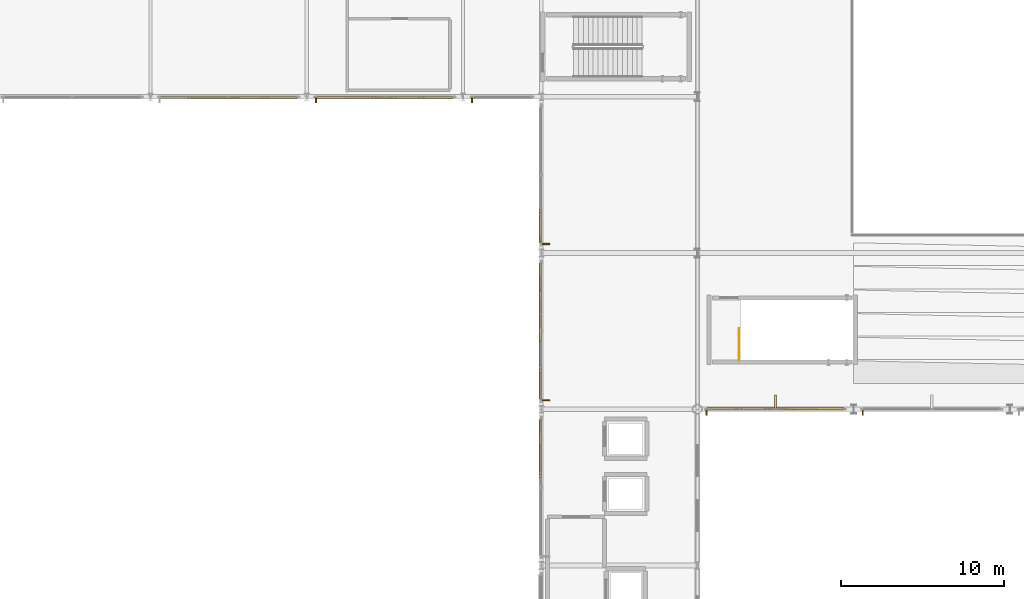
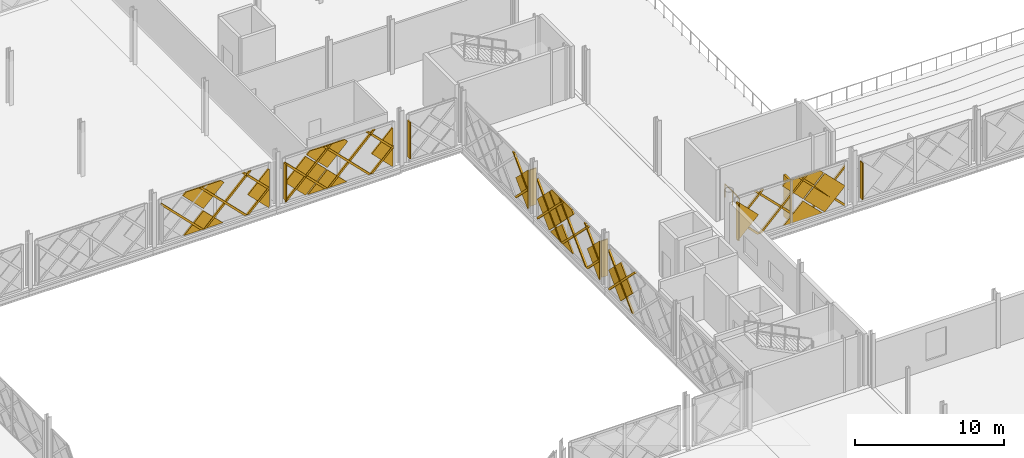
# One storey, part 91 of 101: 45 coverings, 6 shading devices, 1 railing.
"""IFC4 building model written with IfcOpenShell, lengths in metres."""

import ifcopenshell
import ifcopenshell.guid

model = None  # the IFC model being written
_history = None  # IfcOwnerHistory: only IFC2X3 demands one
_inside = {}  # id of a spatial element -> (the spatial element, [elements in it])
_under = {}  # id of a project, library or spatial element -> (it, [spatial elements below it])
_declared = {}  # id of a project -> (the project, [libraries it declares])
_typed = {}  # id of a type object -> (the type object, [elements of that type])
_made_of = {}  # id of a material, layer set ... -> (it, [elements and type objects made of it])


def new_model(schema):
    """Start an empty IFC model of exactly this schema.

    Asked for "IFC4X3", IfcOpenShell would pick the latest addendum, in which some entities
    have other attributes; the version numbers below select the first issue.
    IFC2X3 requires an IfcOwnerHistory on every rooted entity: one is made here for all.
    """
    global model, _history
    if schema == "IFC4X3":
        model = ifcopenshell.file(schema_version=(4, 3, 0, 0))
    else:
        model = ifcopenshell.file(schema=schema)
    _inside.clear()
    _under.clear()
    _declared.clear()
    _typed.clear()
    _made_of.clear()
    _history = None
    if model.schema == "IFC2X3":
        org = make("IfcOrganization", Name="unknown")
        user = make(
            "IfcPersonAndOrganization",
            ThePerson=make("IfcPerson", FamilyName="unknown"),
            TheOrganization=org,
        )
        app = make(
            "IfcApplication",
            ApplicationDeveloper=org,
            Version="unknown",
            ApplicationFullName="unknown",
            ApplicationIdentifier="unknown",
        )
        _history = make(
            "IfcOwnerHistory",
            OwningUser=user,
            OwningApplication=app,
            ChangeAction="ADDED",
            CreationDate=0,
        )
    return model


def make(cls, **values):
    """One entity of the class cls with the attributes given. An attribute that is None is left unset."""
    return model.create_entity(
        cls, **{name: value for name, value in values.items() if value is not None}
    )


def rooted(cls, **values):
    """An entity with a GlobalId (a new one), such as an element, a storey or a relation."""
    return make(cls, GlobalId=ifcopenshell.guid.new(), OwnerHistory=_history, **values)


def si_unit(unit_type, name, prefix=None):
    """IfcSIUnit, for example si_unit("LENGTHUNIT", "METRE", prefix="MILLI")."""
    return make("IfcSIUnit", UnitType=unit_type, Prefix=prefix, Name=name)


def assignment(units):
    """IfcUnitAssignment: the units of a project."""
    return None if units is None else make("IfcUnitAssignment", Units=units)


def point(xyz):
    """IfcCartesianPoint."""
    return None if xyz is None else make("IfcCartesianPoint", Coordinates=xyz)


def direction(xyz):
    """IfcDirection."""
    return None if xyz is None else make("IfcDirection", DirectionRatios=xyz)


def frame(location, z_axis=None, x_axis=None):
    """IfcAxis2Placement3D, a coordinate frame: its origin and axes. An axis left out is left unset."""
    return make(
        "IfcAxis2Placement3D",
        Location=point(location),
        Axis=direction(z_axis),
        RefDirection=direction(x_axis),
    )


def frame_2d(location, x_axis=None):
    """IfcAxis2Placement2D, a coordinate frame in the plane: its origin and x axis."""
    return make(
        "IfcAxis2Placement2D", Location=point(location), RefDirection=direction(x_axis)
    )


def origin():
    """The frame at (0, 0, 0) with its axes left unset."""
    return frame((0.0, 0.0, 0.0))


def origin_2d():
    """The frame at (0, 0) in the plane with its x axis left unset."""
    return frame_2d((0.0, 0.0))


def place(relative_to, where):
    """IfcLocalPlacement: puts the frame where relative to a parent placement (None: the world)."""
    return make(
        "IfcLocalPlacement", PlacementRelTo=relative_to, RelativePlacement=where
    )


def context(
    kind, dimensions, precision=None, world=None, true_north=None, identifier=None
):
    """IfcGeometricRepresentationContext, for example the 3D "Model" context."""
    return make(
        "IfcGeometricRepresentationContext",
        ContextIdentifier=identifier,
        ContextType=kind,
        CoordinateSpaceDimension=dimensions,
        Precision=precision,
        WorldCoordinateSystem=world,
        TrueNorth=true_north,
    )


def subcontext(parent, identifier, kind, view, scale=None):
    """IfcGeometricRepresentationSubContext, for example "Body" below "Model"."""
    return make(
        "IfcGeometricRepresentationSubContext",
        ContextIdentifier=identifier,
        ContextType=kind,
        ParentContext=parent,
        TargetScale=scale,
        TargetView=view,
    )


def project(units=None, contexts=None):
    """IfcProject with its units and contexts."""
    return rooted(
        "IfcProject",
        Name="project",
        RepresentationContexts=contexts,
        UnitsInContext=assignment(units),
    )


def spatial(cls, under=None, at=None, **own):
    """A site, building, storey or space (cls), placed at a placement, below another one or the project."""
    s = rooted(cls, ObjectPlacement=at, **own)
    if under is not None:
        _under.setdefault(under.id(), (under, []))[1].append(s)
    return s


def polyline(points):
    """IfcPolyline through the points."""
    return make("IfcPolyline", Points=[point(p) for p in points])


def profile(cls, at=None, kind="AREA", **sizes):
    """A parametric profile (cls). Its sizes go by their IFC names, for example OverallWidth=200.0."""
    return make(cls, ProfileType=kind, Position=at, **sizes)


def rectangle(**sizes):
    """IfcRectangleProfileDef."""
    return profile("IfcRectangleProfileDef", **sizes)


def circle(**sizes):
    """IfcCircleProfileDef."""
    return profile("IfcCircleProfileDef", **sizes)


def outline(outer, holes=None, kind="AREA"):
    """IfcArbitraryClosedProfileDef: a profile drawn as a closed curve; with holes, ...WithVoids."""
    if holes is None:
        return make("IfcArbitraryClosedProfileDef", ProfileType=kind, OuterCurve=outer)
    return make(
        "IfcArbitraryProfileDefWithVoids",
        ProfileType=kind,
        OuterCurve=outer,
        InnerCurves=holes,
    )


def extrude(swept, where, along, depth):
    """IfcExtrudedAreaSolid: the profile swept, set in the frame where, extruded along a direction by depth."""
    return make(
        "IfcExtrudedAreaSolid",
        SweptArea=swept,
        Position=where,
        ExtrudedDirection=direction(along),
        Depth=depth,
    )


def shape(context_of_items, identifier, shape_type, items):
    """IfcShapeRepresentation: the items that make up one representation, for example the "Body"."""
    return make(
        "IfcShapeRepresentation",
        ContextOfItems=context_of_items,
        RepresentationIdentifier=identifier,
        RepresentationType=shape_type,
        Items=items,
    )


def material(Name=None, Category=None):
    """IfcMaterial."""
    return make("IfcMaterial", Name=Name, Category=Category)


def layer(
    of_material, thickness, ventilated=None, Name=None, Category=None, Priority=None
):
    """IfcMaterialLayer: one layer of a wall or slab, of a material (None: an air gap)."""
    return make(
        "IfcMaterialLayer",
        Material=of_material,
        LayerThickness=thickness,
        IsVentilated=ventilated,
        Name=Name,
        Category=Category,
        Priority=Priority,
    )


def layer_set(layers, Name=None):
    """IfcMaterialLayerSet."""
    return make("IfcMaterialLayerSet", MaterialLayers=layers, LayerSetName=Name)


def made_of(thing, what):
    """Note that an element or type object is made of a material, layer set ...; save() writes the relation."""
    if what is not None:
        _made_of.setdefault(what.id(), (what, []))[1].append(thing)
    return thing


def type_object(cls, material=None, **own):
    """A type object (cls), such as IfcWallType, which elements share."""
    return made_of(rooted(cls, **own), material)


def element(
    cls,
    number,
    at=None,
    inside=None,
    cuts=None,
    type_object=None,
    material=None,
    context=None,
    identifier="Body",
    shape_type=None,
    held_by="IfcProductDefinitionShape",
    body=None,
    shapes=None,
    **own,
):
    """One element of the class cls, such as IfcWall. Its Tag is "e" and its number.

    at: its placement. inside: the storey or other place that contains it. cuts: it is an
    opening in that element (IfcRelVoidsElement). A single representation is given by context,
    identifier, shape_type and body (its items); several are given by shapes. held_by: the class
    of the entity that holds the representations. save() writes the other relations.
    """
    e = rooted(cls, Tag="e%d" % number, ObjectPlacement=at, **own)
    if body is not None:
        shapes = [shape(context, identifier, shape_type, body)]
    if shapes is not None:
        e.Representation = make(held_by, Representations=shapes)
    if inside is not None:
        _inside.setdefault(inside.id(), (inside, []))[1].append(e)
    if cuts is not None:
        rooted(
            "IfcRelVoidsElement", RelatingBuildingElement=cuts, RelatedOpeningElement=e
        )
    if type_object is not None:
        _typed.setdefault(type_object.id(), (type_object, []))[1].append(e)
    return made_of(e, material)


def aggregate(whole, parts):
    """IfcRelAggregates: a whole, such as a stair, and the parts it consists of."""
    return rooted("IfcRelAggregates", RelatingObject=whole, RelatedObjects=parts)


def save(model, path):
    """Write the relations noted so far, then the file.

    IfcRelAggregates (storeys below a building ...), IfcRelContainedInSpatialStructure (elements
    in a storey), IfcRelDefinesByType, IfcRelAssociatesMaterial and IfcRelDeclares: one each for
    every whole, place, type object, material and project.
    """
    for whole, parts in _under.values():
        aggregate(whole, parts)
    for where, things in _inside.values():
        rooted(
            "IfcRelContainedInSpatialStructure",
            RelatedElements=things,
            RelatingStructure=where,
        )
    for kind, things in _typed.values():
        rooted("IfcRelDefinesByType", RelatedObjects=things, RelatingType=kind)
    for what, things in _made_of.values():
        rooted("IfcRelAssociatesMaterial", RelatedObjects=things, RelatingMaterial=what)
    for by, libraries in _declared.values():
        rooted("IfcRelDeclares", RelatingContext=by, RelatedDefinitions=libraries)
    model.write(path)


model = new_model("IFC4")

# Units and contexts
model_context = context("Model", 3, precision=1e-05, world=origin(), true_north=direction((0.0, 1.0)))
body_context = subcontext(model_context, "Body", "Model", "MODEL_VIEW")
ifc_project = project(units=[si_unit("LENGTHUNIT", "METRE"), si_unit("AREAUNIT", "SQUARE_METRE"), si_unit("VOLUMEUNIT", "CUBIC_METRE"), si_unit("PLANEANGLEUNIT", "RADIAN"), si_unit("MASSUNIT", "GRAM", prefix="KILO")], contexts=[model_context])

# Site, building, storey
site_placement = place(None, origin())
site = spatial("IfcSite", under=ifc_project, at=site_placement, CompositionType="ELEMENT")
building_placement = place(site_placement, origin())
building = spatial("IfcBuilding", under=site, at=building_placement, Name="Zevrakil Square Congress Hotel", CompositionType="ELEMENT")
storey_placement = place(building_placement, frame((0.0, 0.0, 5.39990234375)))
storey = spatial("IfcBuildingStorey", under=building, at=storey_placement, Name="L02", CompositionType="ELEMENT", Elevation=5.39990234375)

# Coverings
ifc_material_1 = material(Name="Architectural White Fibre-C GRC", Category="concrete")
ifc_layer_1 = layer(ifc_material_1, 0.06494140625)
ifc_layer_set_1 = layer_set([ifc_layer_1], Name="Architectural White Fibre-C GRC")
covering_type_1 = type_object("IfcCoveringType", Name="COV-DIA-WHITE", PredefinedType="CLADDING", material=ifc_layer_set_1)
covering_1_placement = place(storey_placement, frame((123.320068359375, 64.89404296875, 1.590087890625), z_axis=(0.0, 0.999999790873, 0.000646725815), x_axis=(-0.707106707249, 0.000457304257, -0.707106707249)))
element("IfcCovering", 1, at=covering_1_placement, inside=storey, type_object=covering_type_1, Name="L02 45-degree white GRC diamond facade cassette 1040", PredefinedType="CLADDING", context=body_context, shape_type="SweptSolid", body=[
    extrude(outline(polyline([(0.0, 0.0), (2.1354765131557993, 0.0), (4.465861884739297e-07, -2.1354765131557527), (0.0, 0.0)])), origin(), (0.0, 0.0, -1.0), 0.1201171875),
])
covering_2_placement = place(storey_placement, frame((125.0, 64.89306640625, 3.27001953125), z_axis=(0.0, 0.999999812555, 0.000612282088), x_axis=(-0.707161000838, 0.000432915616, -0.707052424844)))
element("IfcCovering", 2, at=covering_2_placement, inside=storey, type_object=covering_type_1, Name="L02 45-degree white GRC diamond facade cassette 1041", PredefinedType="CLADDING", context=body_context, shape_type="SweptSolid", body=[
    extrude(outline(polyline([(0.0, 0.0), (2.248551445484592, 0.0), (2.2483792228800303, -2.2487240657380205), (0.013811102109335449, -2.2485525032084603), (-0.000343756005215079, -2.2343954741070595), (0.0, 0.0)])), origin(), (0.0, 0.0, -1.0), 0.1201171875),
])
covering_3_placement = place(storey_placement, frame((118.280029296875, 64.89501953125, 0.090087890625), z_axis=(4.3898e-08, 0.999999810877, 0.000615017515), x_axis=(0.707106714509, -0.000434914137, 0.707106714115)))
element("IfcCovering", 3, at=covering_3_placement, inside=storey, type_object=covering_type_1, Name="L02 45-degree white GRC diamond facade cassette 1042", PredefinedType="CLADDING", context=body_context, shape_type="SweptSolid", body=[
    extrude(outline(polyline([(0.0, 0.0), (2.2487240723345248, 0.0), (2.2485518629543146, -2.248551438891992), (2.16378882664394, -2.2487240883742428), (-2.3641429092169375e-11, -0.08493566978779551), (0.0, 0.0)])), origin(), (0.0, 0.0, -1.0), 0.1201171875),
])
covering_4_placement = place(storey_placement, frame((121.72998046875, 64.89306640625, 3.360107421875), z_axis=(0.0, 0.999999832179, 0.000579346068), x_axis=(0.707106746172, 0.000409659554, -0.707106697534)))
element("IfcCovering", 4, at=covering_4_placement, inside=storey, type_object=covering_type_1, Name="L02 45-degree white GRC diamond facade cassette 1043", PredefinedType="CLADDING", context=body_context, shape_type="SweptSolid", body=[
    extrude(outline(polyline([(0.0, 0.0), (2.2487239716392238, 0.0), (2.2485511154520332, -2.2485513381391633), (1.9022482605456785, -2.2485513919470725), (0.00017254537865349362, -0.34647548840639664), (0.0, 0.0)])), origin(), (0.0, 0.0, -1.0), 0.1201171875),
])
covering_5_placement = place(storey_placement, frame((87.8798828125, 83.906005859375, 1.590087890625), z_axis=(0.0, -0.999999790873, 0.000646725815), x_axis=(0.707106707249, -0.000457304257, -0.707106707249)))
element("IfcCovering", 5, at=covering_5_placement, inside=storey, type_object=covering_type_1, Name="L02 45-degree white GRC diamond facade cassette 1618", PredefinedType="CLADDING", context=body_context, shape_type="SweptSolid", body=[
    extrude(outline(polyline([(0.0, 0.0), (2.1354765131557993, 0.0), (0.00017308005963778683, -2.1353038796462007), (0.0, 0.0)])), origin(), (0.0, 0.0, -1.0), 0.1201171875),
])
covering_6_placement = place(storey_placement, frame((92.919921875, 83.905029296875, 0.090087890625), z_axis=(-4.3905e-08, -0.999999810877, 0.000615017631), x_axis=(-0.707052423991, 0.000434947608, 0.707161000444)))
element("IfcCovering", 6, at=covering_6_placement, inside=storey, type_object=covering_type_1, Name="L02 45-degree white GRC diamond facade cassette 1620", PredefinedType="CLADDING", context=body_context, shape_type="SweptSolid", body=[
    extrude(outline(polyline([(0.0, 0.0), (2.2485514454863083, 0.0), (2.2487244898345797, -2.248378798725155), (2.163961467029263, -2.248557955925599), (6.520949064468817e-06, -0.08493566953746919), (0.0, 0.0)])), origin(), (0.0, 0.0, -1.0), 0.1201171875),
])
covering_7_placement = place(storey_placement, frame((89.469970703125, 83.906982421875, 3.360107421875), z_axis=(0.0, -0.999999755768, 0.000698902334), x_axis=(-0.707106715778, -0.000494198625, -0.707106673897)))
element("IfcCovering", 7, at=covering_7_placement, inside=storey, type_object=covering_type_1, Name="L02 45-degree white GRC diamond facade cassette 1621", PredefinedType="CLADDING", context=body_context, shape_type="SweptSolid", body=[
    extrude(outline(polyline([(0.0, 0.0), (2.2487240682974496, 0.0), (2.248551018801241, -2.248551434789942), (1.9022481564861946, -2.2485514811212024), (-1.1039832578663145e-07, -0.3463028623150322), (0.0, 0.0)])), origin(), (0.0, 0.0, -1.0), 0.1201171875),
])
covering_8_placement = place(storey_placement, frame((97.47998046875, 83.906005859375, 1.590087890625), z_axis=(0.0, -0.999999790873, 0.000646725815), x_axis=(0.707106707249, -0.000457304257, -0.707106707249)))
element("IfcCovering", 8, at=covering_8_placement, inside=storey, type_object=covering_type_1, Name="L02 45-degree white GRC diamond facade cassette 1660", PredefinedType="CLADDING", context=body_context, shape_type="SweptSolid", body=[
    extrude(outline(polyline([(0.0, 0.0), (2.1354765131557993, 0.0), (4.465861884739297e-07, -2.1354765131557527), (0.0, 0.0)])), origin(), (0.0, 0.0, -1.0), 0.1201171875),
])
covering_9_placement = place(storey_placement, frame((95.800048828125, 83.906982421875, 3.27001953125), z_axis=(0.0, -0.999999812555, 0.000612281941), x_axis=(0.707106714489, -0.000432948753, -0.707106715341)))
element("IfcCovering", 9, at=covering_9_placement, inside=storey, type_object=covering_type_1, Name="L02 45-degree white GRC diamond facade cassette 1661", PredefinedType="CLADDING", context=body_context, shape_type="SweptSolid", body=[
    extrude(outline(polyline([(0.0, 0.0), (2.2483788053823686, 2.220446049250313e-16), (2.2485518630143098, -2.2485514388251864), (0.013983735657622232, -2.2485514362281265), (-0.00017220932723183147, -2.23439549391379), (0.0, 0.0)])), origin(), (0.0, 0.0, -1.0), 0.1201171875),
])
covering_10_placement = place(storey_placement, frame((102.52001953125, 83.905029296875, 0.090087890625), z_axis=(-4.3898e-08, -0.999999810877, 0.000615017515), x_axis=(-0.707106714509, 0.000434914137, 0.707106714115)))
element("IfcCovering", 10, at=covering_10_placement, inside=storey, type_object=covering_type_1, Name="L02 45-degree white GRC diamond facade cassette 1662", PredefinedType="CLADDING", context=body_context, shape_type="SweptSolid", body=[
    extrude(outline(polyline([(0.0, 0.0), (2.2487240723345248, 0.0), (2.2485518629543146, -2.248551438891992), (2.16378882664394, -2.2487240883742428), (-2.3641429092169375e-11, -0.08493566978779551), (0.0, 0.0)])), origin(), (0.0, 0.0, -1.0), 0.1201171875),
])
covering_11_placement = place(storey_placement, frame((99.070068359375, 83.906982421875, 3.360107421875), z_axis=(0.0, -0.999999755771, 0.000698897268), x_axis=(-0.707106715778, -0.000494195043, -0.707106673899)))
element("IfcCovering", 11, at=covering_11_placement, inside=storey, type_object=covering_type_1, Name="L02 45-degree white GRC diamond facade cassette 1663", PredefinedType="CLADDING", context=body_context, shape_type="SweptSolid", body=[
    extrude(outline(polyline([(0.0, 0.0), (2.248724068297932, 0.0), (2.24872365227629, -2.2487240682978937), (1.9022481564859735, -2.248551481121349), (0.00017252307739307193, -0.3464754958222402), (0.0, 0.0)])), origin(), (0.0, 0.0, -1.0), 0.1201171875),
])
covering_12_placement = place(storey_placement, frame((107.906982421875, 62.60009765625, 3.27001953125), z_axis=(-0.999999812555, 0.0, 0.000612282237), x_axis=(-0.000432915721, -0.707161000838, -0.707052424844)))
element("IfcCovering", 12, at=covering_12_placement, inside=storey, type_object=covering_type_1, Name="L02 45-degree white GRC diamond facade cassette 1817", PredefinedType="CLADDING", context=body_context, shape_type="SweptSolid", body=[
    extrude(outline(polyline([(0.0, 0.0), (2.2485514454845923, 0.0), (2.248379222880032, -2.2487240657380214), (0.013983748838055643, -2.248379882955194), (-0.0001711092764935529, -2.234222853853795), (0.0, 0.0)])), origin(), (0.0, 0.0, -1.0), 0.1201171875),
])
covering_13_placement = place(storey_placement, frame((107.906005859375, 70.52001953125, 1.590087890625), z_axis=(-0.999999790873, 0.0, 0.000646725815), x_axis=(-0.000457304257, -0.707106707249, -0.707106707249)))
element("IfcCovering", 13, at=covering_13_placement, inside=storey, type_object=covering_type_1, Name="L02 45-degree white GRC diamond facade cassette 1884", PredefinedType="CLADDING", context=body_context, shape_type="SweptSolid", body=[
    extrude(outline(polyline([(0.0, 0.0), (2.1354765131557993, 0.0), (4.465861884739297e-07, -2.1354765131557527), (0.0, 0.0)])), origin(), (0.0, 0.0, -1.0), 0.1201171875),
])
covering_14_placement = place(storey_placement, frame((107.906982421875, 72.199951171875, 3.27001953125), z_axis=(-0.999999812555, 0.0, 0.000612281941), x_axis=(-0.000432948753, -0.707106714489, -0.707106715341)))
element("IfcCovering", 14, at=covering_14_placement, inside=storey, type_object=covering_type_1, Name="L02 45-degree white GRC diamond facade cassette 1885", PredefinedType="CLADDING", context=body_context, shape_type="SweptSolid", body=[
    extrude(outline(polyline([(0.0, 0.0), (2.2483788053823686, 2.220446049250313e-16), (2.2485518630143098, -2.2485514388251864), (0.013983735657622232, -2.2485514362281265), (-0.00017220932723183147, -2.23439549391379), (0.0, 0.0)])), origin(), (0.0, 0.0, -1.0), 0.1201171875),
])
covering_15_placement = place(storey_placement, frame((107.905029296875, 65.47998046875, 0.090087890625), z_axis=(-0.999999810877, 4.3898e-08, 0.000615017515), x_axis=(0.000434914137, 0.707106714509, 0.707106714115)))
element("IfcCovering", 15, at=covering_15_placement, inside=storey, type_object=covering_type_1, Name="L02 45-degree white GRC diamond facade cassette 1886", PredefinedType="CLADDING", context=body_context, shape_type="SweptSolid", body=[
    extrude(outline(polyline([(0.0, 0.0), (2.2487240723345248, 0.0), (2.2485518629543146, -2.248551438891992), (2.16378882664394, -2.2487240883742428), (-2.3641429092169375e-11, -0.08493566978779551), (0.0, 0.0)])), origin(), (0.0, 0.0, -1.0), 0.1201171875),
])
covering_16_placement = place(storey_placement, frame((107.906982421875, 68.929931640625, 3.360107421875), z_axis=(-0.99999975123, 0.0, 0.00070536503), x_axis=(-0.000498768442, 0.707106715979, -0.707106670487)))
element("IfcCovering", 16, at=covering_16_placement, inside=storey, type_object=covering_type_1, Name="L02 45-degree white GRC diamond facade cassette 1887", PredefinedType="CLADDING", context=body_context, shape_type="SweptSolid", body=[
    extrude(outline(polyline([(0.0, 0.0), (2.2487240676581686, 0.0), (2.2487236529160537, -2.248724067658131), (1.9162314678732428, -2.248724117409236), (-1.1107410821664665e-07, -0.332492185042796), (0.0, 0.0)])), origin(), (0.0, 0.0, -1.0), 0.1201171875),
])
covering_17_placement = place(storey_placement, frame((107.905029296875, 75.080078125, 0.090087890625), z_axis=(-0.999999810877, 4.3905e-08, 0.000615017631), x_axis=(0.000434947608, 0.707052423991, 0.707161000444)))
element("IfcCovering", 17, at=covering_17_placement, inside=storey, type_object=covering_type_1, Name="L02 45-degree white GRC diamond facade cassette 1954", PredefinedType="CLADDING", context=body_context, shape_type="SweptSolid", body=[
    extrude(outline(polyline([(0.0, 0.0), (2.2485514454863083, 0.0), (2.2487244898345797, -2.248378798725155), (2.163961467029263, -2.248557955925599), (6.520949064468817e-06, -0.08493566953746919), (0.0, 0.0)])), origin(), (0.0, 0.0, -1.0), 0.1201171875),
])
ifc_material_2 = material(Name="Anodised Champagne Aluminium", Category="aluminium")
ifc_layer_2 = layer(ifc_material_2, 0.0849609375)
ifc_layer_set_2 = layer_set([ifc_layer_2], Name="Anodised Champagne Aluminium")
covering_type_2 = type_object("IfcCoveringType", Name="COV-DIAGRID-45", PredefinedType="MOLDING", material=ifc_layer_set_2)
covering_18_placement = place(storey_placement, frame((126.493896484375, 64.919921875, 0.080078125), z_axis=(-0.000187311957, 0.999999884449, 0.000442737353), x_axis=(0.999999982457, 0.000187311939, 8.293e-08)))
element("IfcCovering", 18, at=covering_18_placement, inside=storey, type_object=covering_type_2, Name="L02 45-degree aluminium diagrid rib 1044", PredefinedType="MOLDING", context=body_context, shape_type="SweptSolid", body=[
    extrude(outline(polyline([(0.0, 0.0), (0.0861816391131254, 2.2812090330563966e-24), (0.08618164958060848, -0.12622069075433734), (-3.312744201763839, -3.524902971092284), (-3.5249024011669716, -3.524902971092284), (0.0, 0.0)])), origin(), (0.0, 0.0, -1.0), 0.14501953125),
])
covering_19_placement = place(storey_placement, frame((123.1337890625, 64.919921875, 0.080078125), z_axis=(0.0, 0.999999805714, 0.000623354914), x_axis=(1.0, 0.0, 0.0)))
element("IfcCovering", 19, at=covering_19_placement, inside=storey, type_object=covering_type_2, Name="L02 45-degree aluminium diagrid rib 1045", PredefinedType="MOLDING", context=body_context, shape_type="SweptSolid", body=[
    extrude(outline(polyline([(0.0, 0.0), (0.21240234375, 0.0), (-3.312744140625, -3.524903028588229), (-3.52490234375, -3.524903028588229), (0.0, 0.0)])), origin(), (0.0, 0.0, -1.0), 0.14501953125),
])
covering_20_placement = place(storey_placement, frame((119.77392578125, 64.919921875, 0.080078125), z_axis=(-0.000294139249, 0.999999913482, 0.000294139249), x_axis=(0.999999956741, 0.000294139237, 8.6518e-08)))
element("IfcCovering", 20, at=covering_20_placement, inside=storey, type_object=covering_type_2, Name="L02 45-degree aluminium diagrid rib 1046", PredefinedType="MOLDING", context=body_context, shape_type="SweptSolid", body=[
    extrude(outline(polyline([(0.0, 0.0), (0.2121581939472589, 0.0), (-1.553955145347468, -1.7661134920951609), (-1.5539551637029505, -1.5539552981479028), (0.0, 0.0)])), origin(), (0.0, 0.0, -1.0), 0.14501953125),
])
covering_21_placement = place(storey_placement, frame((126.580078125, 64.918212890625, 3.154052734375), z_axis=(-0.000287477056, 0.99999958606, 0.000863270454), x_axis=(-8.2643e-08, -0.000863270513, 0.999999627382)))
element("IfcCovering", 21, at=covering_21_placement, inside=storey, type_object=covering_type_2, Name="L02 45-degree aluminium diagrid rib 1047", PredefinedType="MOLDING", context=body_context, shape_type="SweptSolid", body=[
    extrude(outline(polyline([(0.0, 0.0), (0.21215833483042407, 1.3234889800848443e-23), (-3.0739746676964605, -3.286133202330571), (-3.073974685229852, -3.0739750079722734), (0.0, 0.0)])), origin(), (0.0, 0.0, -1.0), 0.14501953125),
])
covering_22_placement = place(storey_placement, frame((123.671142578125, 64.917724609375, 3.60498046875), z_axis=(0.0, 0.999999805714, 0.000623354914), x_axis=(-1.0, 0.0, 0.0)))
element("IfcCovering", 22, at=covering_22_placement, inside=storey, type_object=covering_type_2, Name="L02 45-degree aluminium diagrid rib 1048", PredefinedType="MOLDING", context=body_context, shape_type="SweptSolid", body=[
    extrude(outline(polyline([(0.0, 0.0), (0.212158203125, 0.0), (3.7373046875, -3.5249030285882292), (3.525146484375, -3.5249030285882292), (0.0, 0.0)])), origin(), (0.0, 0.0, -1.0), 0.14501953125),
])
covering_23_placement = place(storey_placement, frame((120.31103515625, 64.917724609375, 3.60498046875), z_axis=(-0.000236587851, 0.999999555129, 0.000913108865), x_axis=(-0.999999972013, -0.000236587752, -2.1603e-07)))
element("IfcCovering", 23, at=covering_23_placement, inside=storey, type_object=covering_type_2, Name="L02 45-degree aluminium diagrid rib 1049", PredefinedType="MOLDING", context=body_context, shape_type="SweptSolid", body=[
    extrude(outline(polyline([(0.0, 0.0), (0.21215819718734832, -5.6157808774107894e-24), (2.091064511647426, -1.878662440825683), (2.091064499772122, -2.0910649189555177), (0.0, 0.0)])), origin(), (0.0, 0.0, -1.0), 0.14501953125),
])
covering_24_placement = place(storey_placement, frame((88.066162109375, 83.8798828125, 0.080078125), z_axis=(0.0, -0.999999805714, 0.000623354914), x_axis=(-1.0, 0.0, 0.0)))
element("IfcCovering", 24, at=covering_24_placement, inside=storey, type_object=covering_type_2, Name="L02 45-degree aluminium diagrid rib 1623", PredefinedType="MOLDING", context=body_context, shape_type="SweptSolid", body=[
    extrude(outline(polyline([(0.0, 0.0), (0.212158203125, 0.0), (-3.312744140625, -3.5249030285882292), (-3.52490234375, -3.5249030285882292), (0.0, 0.0)])), origin(), (0.0, 0.0, -1.0), 0.14501953125),
])
covering_25_placement = place(storey_placement, frame((91.426025390625, 83.8798828125, 0.080078125), z_axis=(0.000367674044, -0.999999864816, 0.000367674044), x_axis=(-0.999999932408, -0.000367674019, 1.35184e-07)))
element("IfcCovering", 25, at=covering_25_placement, inside=storey, type_object=covering_type_2, Name="L02 45-degree aluminium diagrid rib 1624", PredefinedType="MOLDING", context=body_context, shape_type="SweptSolid", body=[
    extrude(outline(polyline([(0.0, 0.0), (0.21215818878478077, 0.0), (-1.5539551831600997, -1.766113610695557), (-1.553955211840539, -1.553955421910778), (0.0, 0.0)])), origin(), (0.0, 0.0, -1.0), 0.14501953125),
])
covering_26_placement = place(storey_placement, frame((84.6201171875, 83.8818359375, 3.154052734375), z_axis=(0.000249100386, -0.999999562491, 0.000901647097), x_axis=(6.2051e-08, 0.00090164714, 0.999999593516)))
element("IfcCovering", 26, at=covering_26_placement, inside=storey, type_object=covering_type_2, Name="L02 45-degree aluminium diagrid rib 1625", PredefinedType="MOLDING", context=body_context, shape_type="SweptSolid", body=[
    extrude(outline(polyline([(0.0, 0.0), (0.21215833701480946, 1.3234889800848443e-23), (-3.0739749169909265, -3.285888964564464), (-3.0739749301555475, -3.0737307680217794), (0.0, 0.0)])), origin(), (0.0, 0.0, -1.0), 0.14501953125),
])
covering_27_placement = place(storey_placement, frame((87.52880859375, 83.882080078125, 3.60498046875), z_axis=(0.0, -0.999999805714, 0.000623354914), x_axis=(1.0, 0.0, 0.0)))
element("IfcCovering", 27, at=covering_27_placement, inside=storey, type_object=covering_type_2, Name="L02 45-degree aluminium diagrid rib 1626", PredefinedType="MOLDING", context=body_context, shape_type="SweptSolid", body=[
    extrude(outline(polyline([(0.0, 0.0), (0.21240234375, 0.0), (3.7373046875, -3.524903028588229), (3.525146484375, -3.524903028588229), (0.0, 0.0)])), origin(), (0.0, 0.0, -1.0), 0.14501953125),
])
covering_28_placement = place(storey_placement, frame((90.888916015625, 83.882080078125, 3.60498046875), z_axis=(0.000298121922, -0.999999592911, 0.000851645566), x_axis=(0.999999955562, 0.000298121814, -2.53894e-07)))
element("IfcCovering", 28, at=covering_28_placement, inside=storey, type_object=covering_type_2, Name="L02 45-degree aluminium diagrid rib 1627", PredefinedType="MOLDING", context=body_context, shape_type="SweptSolid", body=[
    extrude(outline(polyline([(0.0, 0.0), (0.21215819369704136, 0.0), (2.0910645460484396, -1.8786622597630018), (2.091064527192522, -2.091064734406543), (0.0, 0.0)])), origin(), (0.0, 0.0, -1.0), 0.14501953125),
])
covering_29_placement = place(storey_placement, frame((94.30615234375, 83.8798828125, 0.080078125), z_axis=(-0.000393906436, -0.99999941923, 0.001003183278), x_axis=(-0.999999922419, 0.000393906237, -3.9516e-07)))
element("IfcCovering", 29, at=covering_29_placement, inside=storey, type_object=covering_type_2, Name="L02 45-degree aluminium diagrid rib 1664", PredefinedType="MOLDING", context=body_context, shape_type="SweptSolid", body=[
    extrude(outline(polyline([(0.0, 0.0), (0.08618163393892982, 0.0), (0.0861816802300238, -0.12622088452999902), (-3.312744411003638, -3.5249027743198065), (-3.524902597669162, -3.5249027743198065), (0.0, 0.0)])), origin(), (0.0, 0.0, -1.0), 0.14501953125),
])
covering_30_placement = place(storey_placement, frame((97.666015625, 83.8798828125, 0.080078125), z_axis=(0.0, -0.999999805714, 0.000623354914), x_axis=(-1.0, 0.0, 0.0)))
element("IfcCovering", 30, at=covering_30_placement, inside=storey, type_object=covering_type_2, Name="L02 45-degree aluminium diagrid rib 1665", PredefinedType="MOLDING", context=body_context, shape_type="SweptSolid", body=[
    extrude(outline(polyline([(0.0, 0.0), (0.212158203125, 0.0), (-3.31298828125, -3.5249030285882292), (-3.525146484375, -3.5249030285882292), (0.0, 0.0)])), origin(), (0.0, 0.0, -1.0), 0.14501953125),
])
covering_31_placement = place(storey_placement, frame((101.026123046875, 83.8798828125, 0.080078125), z_axis=(0.000367674044, -0.999999864816, 0.000367674044), x_axis=(-0.999999932408, -0.000367674019, 1.35184e-07)))
element("IfcCovering", 31, at=covering_31_placement, inside=storey, type_object=covering_type_2, Name="L02 45-degree aluminium diagrid rib 1666", PredefinedType="MOLDING", context=body_context, shape_type="SweptSolid", body=[
    extrude(outline(polyline([(0.0, 0.0), (0.21215818878478077, 0.0), (-1.5539551831600997, -1.766113610695557), (-1.553955211840539, -1.553955421910778), (0.0, 0.0)])), origin(), (0.0, 0.0, -1.0), 0.14501953125),
])
covering_32_placement = place(storey_placement, frame((94.219970703125, 83.8818359375, 3.154052734375), z_axis=(0.000249090824, -0.999999562484, 0.000901656659), x_axis=(6.2046e-08, 0.000901656702, 0.999999593508)))
element("IfcCovering", 32, at=covering_32_placement, inside=storey, type_object=covering_type_2, Name="L02 45-degree aluminium diagrid rib 1667", PredefinedType="MOLDING", context=body_context, shape_type="SweptSolid", body=[
    extrude(outline(polyline([(0.0, 0.0), (0.21215833701531478, 1.3234889800848443e-23), (-3.073974916983605, -3.2861331051745672), (-3.073974930147215, -3.073974908631377), (0.0, 0.0)])), origin(), (0.0, 0.0, -1.0), 0.14501953125),
])
covering_33_placement = place(storey_placement, frame((97.12890625, 83.882080078125, 3.60498046875), z_axis=(0.0, -0.999999805714, 0.000623354914), x_axis=(1.0, 0.0, 0.0)))
element("IfcCovering", 33, at=covering_33_placement, inside=storey, type_object=covering_type_2, Name="L02 45-degree aluminium diagrid rib 1668", PredefinedType="MOLDING", context=body_context, shape_type="SweptSolid", body=[
    extrude(outline(polyline([(0.0, 0.0), (0.212158203125, 0.0), (3.7373046875, -3.524903028588229), (3.52490234375, -3.524903028588229), (0.0, 0.0)])), origin(), (0.0, 0.0, -1.0), 0.14501953125),
])
covering_34_placement = place(storey_placement, frame((100.489013671875, 83.882080078125, 3.60498046875), z_axis=(0.000298121922, -0.999999592911, 0.000851645566), x_axis=(0.999999955562, 0.000298121814, -2.53894e-07)))
element("IfcCovering", 34, at=covering_34_placement, inside=storey, type_object=covering_type_2, Name="L02 45-degree aluminium diagrid rib 1669", PredefinedType="MOLDING", context=body_context, shape_type="SweptSolid", body=[
    extrude(outline(polyline([(0.0, 0.0), (0.21215819369704136, 0.0), (2.0910645460484396, -1.8786622597630018), (2.091064527192522, -2.091064734406543), (0.0, 0.0)])), origin(), (0.0, 0.0, -1.0), 0.14501953125),
])
covering_35_placement = place(storey_placement, frame((107.8798828125, 64.093994140625, 0.080078125), z_axis=(-0.999999417928, 0.0003936348, 0.001004586707), x_axis=(0.000393634601, 0.999999922526, -3.9544e-07)))
element("IfcCovering", 35, at=covering_35_placement, inside=storey, type_object=covering_type_2, Name="L02 45-degree aluminium diagrid rib 1820", PredefinedType="MOLDING", context=body_context, shape_type="SweptSolid", body=[
    extrude(outline(polyline([(0.0, 0.0), (0.0859374933420626, 4.549493369041652e-24), (0.08593753953150512, -0.12622088469480297), (-3.30297878483645, -3.5151371523650496), (-3.515136971524667, -3.5151371523650496), (0.0, 0.0)])), origin(), (0.0, 0.0, -1.0), 0.14501953125),
])
covering_36_placement = place(storey_placement, frame((107.8818359375, 64.179931640625, 3.154052734375), z_axis=(-0.999999562652, -0.000248952361, 0.00090150864), x_axis=(0.000901508683, -6.2049e-08, 0.999999593641)))
element("IfcCovering", 36, at=covering_36_placement, inside=storey, type_object=covering_type_2, Name="L02 45-degree aluminium diagrid rib 1823", PredefinedType="MOLDING", context=body_context, shape_type="SweptSolid", body=[
    extrude(outline(polyline([(0.0, 0.0), (0.21215833700749018, 0.0), (-3.0739749170969763, -3.2861331050685156), (-3.073974930276236, -3.073730767900576), (0.0, 0.0)])), origin(), (0.0, 0.0, -1.0), 0.14501953125),
])
covering_37_placement = place(storey_placement, frame((107.8798828125, 73.69384765625, 0.080078125), z_axis=(-0.99999941824, 0.000393406, 0.001004366124), x_axis=(0.000393405802, 0.999999922616, -3.95124e-07)))
element("IfcCovering", 37, at=covering_37_placement, inside=storey, type_object=covering_type_2, Name="L02 45-degree aluminium diagrid rib 1888", PredefinedType="MOLDING", context=body_context, shape_type="SweptSolid", body=[
    extrude(outline(polyline([(0.0, 0.0), (0.08618163395590756, -4.562418066112793e-24), (0.08618168012945589, -0.1262208846689164), (-3.302734643917476, -3.5151371526592214), (-3.5148928306247953, -3.5151371526592214), (0.0, 0.0)])), origin(), (0.0, 0.0, -1.0), 0.14501953125),
])
covering_38_placement = place(storey_placement, frame((107.8798828125, 70.333984375, 0.080078125), z_axis=(-0.999999804633, 0.0, 0.000625086695), x_axis=(0.0, 1.0, 0.0)))
element("IfcCovering", 38, at=covering_38_placement, inside=storey, type_object=covering_type_2, Name="L02 45-degree aluminium diagrid rib 1889", PredefinedType="MOLDING", context=body_context, shape_type="SweptSolid", body=[
    extrude(outline(polyline([(0.0, 0.0), (0.212158203125, 0.0), (-3.302978515625, -3.5151374054908215), (-3.51513671875, -3.5151374054908215), (0.0, 0.0)])), origin(), (0.0, 0.0, -1.0), 0.14501953125),
])
covering_39_placement = place(storey_placement, frame((107.8798828125, 66.973876953125, 0.080078125), z_axis=(-0.999999864816, -0.000367674044, 0.000367674044), x_axis=(-0.000367674019, 0.999999932408, 1.35184e-07)))
element("IfcCovering", 39, at=covering_39_placement, inside=storey, type_object=covering_type_2, Name="L02 45-degree aluminium diagrid rib 1890", PredefinedType="MOLDING", context=body_context, shape_type="SweptSolid", body=[
    extrude(outline(polyline([(0.0, 0.0), (0.21215818878478077, 0.0), (-1.5539551831600997, -1.766113610695557), (-1.553955211840539, -1.553955421910778), (0.0, 0.0)])), origin(), (0.0, 0.0, -1.0), 0.14501953125),
])
covering_40_placement = place(storey_placement, frame((107.8818359375, 73.780029296875, 3.154052734375), z_axis=(-0.999999562484, -0.000249090824, 0.000901656659), x_axis=(0.000901656702, -6.2046e-08, 0.999999593508)))
element("IfcCovering", 40, at=covering_40_placement, inside=storey, type_object=covering_type_2, Name="L02 45-degree aluminium diagrid rib 1891", PredefinedType="MOLDING", context=body_context, shape_type="SweptSolid", body=[
    extrude(outline(polyline([(0.0, 0.0), (0.21215833701531478, 1.3234889800848443e-23), (-3.073974916983605, -3.2861331051745672), (-3.073974930147215, -3.073974908631377), (0.0, 0.0)])), origin(), (0.0, 0.0, -1.0), 0.14501953125),
])
covering_41_placement = place(storey_placement, frame((107.882080078125, 70.861083984375, 3.59521484375), z_axis=(-0.999999804633, 0.0, 0.000625086695), x_axis=(0.0, -1.0, 0.0)))
element("IfcCovering", 41, at=covering_41_placement, inside=storey, type_object=covering_type_2, Name="L02 45-degree aluminium diagrid rib 1892", PredefinedType="MOLDING", context=body_context, shape_type="SweptSolid", body=[
    extrude(outline(polyline([(0.0, 0.0), (0.212158203125, 0.0), (3.727294921875, -3.515137405490821), (3.514892578125, -3.515137405490821), (0.0, 0.0)])), origin(), (0.0, 0.0, -1.0), 0.14501953125),
])
covering_42_placement = place(storey_placement, frame((107.882080078125, 67.501220703125, 3.59521484375), z_axis=(-0.999999592354, -0.000296591386, 0.000852833433), x_axis=(0.000296591278, -0.999999956017, -2.52943e-07)))
element("IfcCovering", 42, at=covering_42_placement, inside=storey, type_object=covering_type_2, Name="L02 45-degree aluminium diagrid rib 1893", PredefinedType="MOLDING", context=body_context, shape_type="SweptSolid", body=[
    extrude(outline(polyline([(0.0, 0.0), (0.21240233440785972, -1.124448645189272e-23), (2.081298919667241, -1.8688966375725615), (2.08129890098296, -2.081299112291084), (0.0, 0.0)])), origin(), (0.0, 0.0, -1.0), 0.14501953125),
])
covering_43_placement = place(storey_placement, frame((107.8798828125, 76.573974609375, 0.080078125), z_axis=(-0.999999864816, -0.000367674044, 0.000367674044), x_axis=(-0.000367674019, 0.999999932408, 1.35184e-07)))
element("IfcCovering", 43, at=covering_43_placement, inside=storey, type_object=covering_type_2, Name="L02 45-degree aluminium diagrid rib 1958", PredefinedType="MOLDING", context=body_context, shape_type="SweptSolid", body=[
    extrude(outline(polyline([(0.0, 0.0), (0.21215818878478077, 0.0), (-1.5539551831600997, -1.766113610695557), (-1.553955211840539, -1.553955421910778), (0.0, 0.0)])), origin(), (0.0, 0.0, -1.0), 0.14501953125),
])
covering_44_placement = place(storey_placement, frame((107.882080078125, 77.10107421875, 3.59521484375), z_axis=(-0.999999592163, -0.000296771115, 0.00085299482), x_axis=(0.000296771007, -0.999999955963, -2.53144e-07)))
element("IfcCovering", 44, at=covering_44_placement, inside=storey, type_object=covering_type_2, Name="L02 45-degree aluminium diagrid rib 1961", PredefinedType="MOLDING", context=body_context, shape_type="SweptSolid", body=[
    extrude(outline(polyline([(0.0, 0.0), (0.2121581937822851, 0.0), (2.081054779142469, -1.8688966374729137), (2.081054760457039, -2.081299112201601), (0.0, 0.0)])), origin(), (0.0, 0.0, -1.0), 0.14501953125),
])
ifc_material_3 = material(Name="Architectural White Fibre-C GRC", Category="concrete")
ifc_layer_3 = layer(ifc_material_3, 0.139892578125)
ifc_layer_set_3 = layer_set([ifc_layer_3], Name="Architectural White Fibre-C GRC")
covering_type_3 = type_object("IfcCoveringType", Name="COV-FIN-GRC90", PredefinedType="MOLDING", material=ifc_layer_set_3)
covering_45_placement = place(storey_placement, frame((122.39990234375, 65.219970703125, 0.1201171875), z_axis=(0.0, 0.0, 1.0), x_axis=(0.0, 1.0, 0.0)))
element("IfcCovering", 45, at=covering_45_placement, inside=storey, type_object=covering_type_3, Name="L02 highland sun-breaker GRC fin 1050", PredefinedType="MOLDING", context=body_context, shape_type="SweptSolid", body=[
    extrude(rectangle(XDim=0.89990234375, YDim=0.139892578125, at=origin_2d()), origin(), (0.0, 0.0, 1.0), 3.445068359375),
])

# Railing
ifc_material_4 = material(Name="Steel S355", Category="steel")
railing_type = type_object("IfcRailingType", Name="RLG-STAIR-GUARD-1100", PredefinedType="BALUSTRADE", material=ifc_material_4)
railing_placement = place(storey_placement, frame((120.14990234375, 67.800048828125, 0.0)))
element("IfcRailing", 46, at=railing_placement, inside=storey, type_object=railing_type, Name="L02 ST08 top well guard 1", PredefinedType="BALUSTRADE", context=body_context, shape_type="SweptSolid", body=[
    extrude(circle(Radius=0.02392578125, at=origin_2d()), frame((0.0, 0.0, 1.076171875), z_axis=(0.0, 1.0, 0.0), x_axis=(-1.0, 0.0, 0.0)), (0.0, 0.0, 1.0), 1.949951171875),
    extrude(circle(Radius=0.02099609375, at=origin_2d()), origin(), (0.0, 0.0, 1.0), 1.052001953125),
    extrude(circle(Radius=0.02099609375, at=origin_2d()), frame((0.0, 0.97509765625, 0.0)), (0.0, 0.0, 1.0), 1.052001953125),
    extrude(circle(Radius=0.02099609375, at=origin_2d()), frame((0.0, 1.949951171875, 0.0)), (0.0, 0.0, 1.0), 1.052001953125),
])

# Shading devices
ifc_material_5 = material(Name="Aluminium Anodised Bronze", Category="aluminium")
shading_device_type_1 = type_object("IfcShadingDeviceType", Name="SHD-FIN-35", PredefinedType="JALOUSIE", material=ifc_material_5)
for number, where, z_axis, x_axis, name in (
    (47, (118.159912109375, 64.60498046875, 0.342529296875), (0.0, 0.0, 1.0), (0.0, -1.0, 0.0), "L02 aluminium solar shading fin 58"),
    (48, (127.760009765625, 64.60498046875, 0.342529296875), (0.0, 0.0, 1.0), (0.0, -1.0, 0.0), "L02 aluminium solar shading fin 60"),
    (49, (94.159912109375, 83.804931640625, 0.342529296875), (0.0, 0.0, 1.0), (0.0, -1.0, 0.0), "L02 aluminium solar shading fin 82"),
    (50, (103.760009765625, 83.804931640625, 0.45751953125), (0.0, 0.0, 1.0), (0.0, -1.0, 0.0), "L02 aluminium solar shading fin 86"),
):
    element("IfcShadingDevice", number, at=place(storey_placement, frame(where, z_axis=z_axis, x_axis=x_axis)), inside=storey, type_object=shading_device_type_1, Name=name, PredefinedType="JALOUSIE", context=body_context, shape_type="SweptSolid", body=[
        extrude(rectangle(XDim=0.35009765625, YDim=0.080078125, at=origin_2d()), origin(), (0.0, 0.0, 1.0), 3.0),
    ])
ifc_material_6 = material(Name="Aluminium Anodised Bronze", Category="aluminium")
shading_device_type_2 = type_object("IfcShadingDeviceType", Name="SHD-FIN-50", PredefinedType="JALOUSIE", material=ifc_material_6)
for number, where, z_axis, x_axis, name in (
    (51, (108.27001953125, 65.360107421875, 0.337646484375), (0.0, 0.0, 1.0), (1.0, 0.0, 0.0), "L02 aluminium solar shading fin 104"),
    (52, (108.27001953125, 74.9599609375, 0.337646484375), (0.0, 0.0, 1.0), (1.0, 0.0, 0.0), "L02 aluminium solar shading fin 110"),
):
    element("IfcShadingDevice", number, at=place(storey_placement, frame(where, z_axis=z_axis, x_axis=x_axis)), inside=storey, type_object=shading_device_type_2, Name=name, PredefinedType="JALOUSIE", context=body_context, shape_type="SweptSolid", body=[
        extrude(rectangle(XDim=0.5, YDim=0.080078125, at=origin_2d()), origin(), (0.0, 0.0, 1.0), 3.0),
    ])

save(model, "model.ifc")
